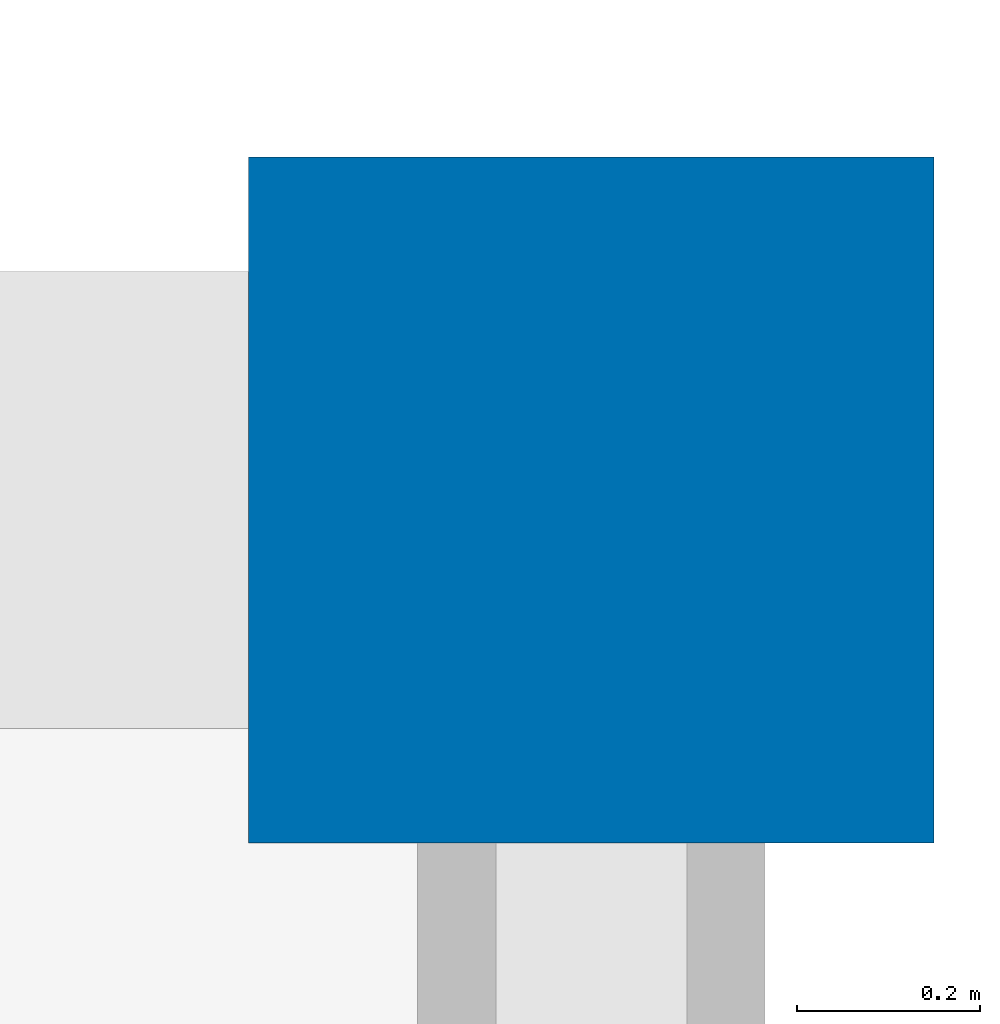
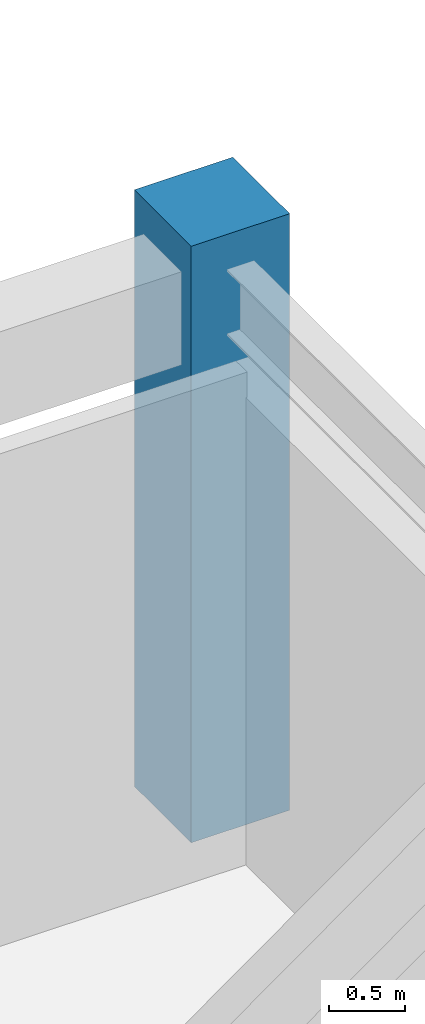
# One storey, part 16 of 122: 1 column.
"""IFC4 building model written with IfcOpenShell, lengths in metres."""

import ifcopenshell
import ifcopenshell.guid

model = None  # the IFC model being written
_history = None  # IfcOwnerHistory: only IFC2X3 demands one
_inside = {}  # id of a spatial element -> (the spatial element, [elements in it])
_under = {}  # id of a project, library or spatial element -> (it, [spatial elements below it])
_declared = {}  # id of a project -> (the project, [libraries it declares])
_typed = {}  # id of a type object -> (the type object, [elements of that type])
_made_of = {}  # id of a material, layer set ... -> (it, [elements and type objects made of it])


def new_model(schema):
    """Start an empty IFC model of exactly this schema.

    Asked for "IFC4X3", IfcOpenShell would pick the latest addendum, in which some entities
    have other attributes; the version numbers below select the first issue.
    IFC2X3 requires an IfcOwnerHistory on every rooted entity: one is made here for all.
    """
    global model, _history
    if schema == "IFC4X3":
        model = ifcopenshell.file(schema_version=(4, 3, 0, 0))
    else:
        model = ifcopenshell.file(schema=schema)
    _inside.clear()
    _under.clear()
    _declared.clear()
    _typed.clear()
    _made_of.clear()
    _history = None
    if model.schema == "IFC2X3":
        org = make("IfcOrganization", Name="unknown")
        user = make(
            "IfcPersonAndOrganization",
            ThePerson=make("IfcPerson", FamilyName="unknown"),
            TheOrganization=org,
        )
        app = make(
            "IfcApplication",
            ApplicationDeveloper=org,
            Version="unknown",
            ApplicationFullName="unknown",
            ApplicationIdentifier="unknown",
        )
        _history = make(
            "IfcOwnerHistory",
            OwningUser=user,
            OwningApplication=app,
            ChangeAction="ADDED",
            CreationDate=0,
        )
    return model


def make(cls, **values):
    """One entity of the class cls with the attributes given. An attribute that is None is left unset."""
    return model.create_entity(
        cls, **{name: value for name, value in values.items() if value is not None}
    )


def rooted(cls, **values):
    """An entity with a GlobalId (a new one), such as an element, a storey or a relation."""
    return make(cls, GlobalId=ifcopenshell.guid.new(), OwnerHistory=_history, **values)


def si_unit(unit_type, name, prefix=None):
    """IfcSIUnit, for example si_unit("LENGTHUNIT", "METRE", prefix="MILLI")."""
    return make("IfcSIUnit", UnitType=unit_type, Prefix=prefix, Name=name)


def assignment(units):
    """IfcUnitAssignment: the units of a project."""
    return None if units is None else make("IfcUnitAssignment", Units=units)


def point(xyz):
    """IfcCartesianPoint."""
    return None if xyz is None else make("IfcCartesianPoint", Coordinates=xyz)


def direction(xyz):
    """IfcDirection."""
    return None if xyz is None else make("IfcDirection", DirectionRatios=xyz)


def frame(location, z_axis=None, x_axis=None):
    """IfcAxis2Placement3D, a coordinate frame: its origin and axes. An axis left out is left unset."""
    return make(
        "IfcAxis2Placement3D",
        Location=point(location),
        Axis=direction(z_axis),
        RefDirection=direction(x_axis),
    )


def frame_2d(location, x_axis=None):
    """IfcAxis2Placement2D, a coordinate frame in the plane: its origin and x axis."""
    return make(
        "IfcAxis2Placement2D", Location=point(location), RefDirection=direction(x_axis)
    )


def origin():
    """The frame at (0, 0, 0) with its axes left unset."""
    return frame((0.0, 0.0, 0.0))


def origin_2d():
    """The frame at (0, 0) in the plane with its x axis left unset."""
    return frame_2d((0.0, 0.0))


def place(relative_to, where):
    """IfcLocalPlacement: puts the frame where relative to a parent placement (None: the world)."""
    return make(
        "IfcLocalPlacement", PlacementRelTo=relative_to, RelativePlacement=where
    )


def context(
    kind, dimensions, precision=None, world=None, true_north=None, identifier=None
):
    """IfcGeometricRepresentationContext, for example the 3D "Model" context."""
    return make(
        "IfcGeometricRepresentationContext",
        ContextIdentifier=identifier,
        ContextType=kind,
        CoordinateSpaceDimension=dimensions,
        Precision=precision,
        WorldCoordinateSystem=world,
        TrueNorth=true_north,
    )


def subcontext(parent, identifier, kind, view, scale=None):
    """IfcGeometricRepresentationSubContext, for example "Body" below "Model"."""
    return make(
        "IfcGeometricRepresentationSubContext",
        ContextIdentifier=identifier,
        ContextType=kind,
        ParentContext=parent,
        TargetScale=scale,
        TargetView=view,
    )


def project(units=None, contexts=None):
    """IfcProject with its units and contexts."""
    return rooted(
        "IfcProject",
        Name="project",
        RepresentationContexts=contexts,
        UnitsInContext=assignment(units),
    )


def spatial(cls, under=None, at=None, **own):
    """A site, building, storey or space (cls), placed at a placement, below another one or the project."""
    s = rooted(cls, ObjectPlacement=at, **own)
    if under is not None:
        _under.setdefault(under.id(), (under, []))[1].append(s)
    return s


def profile(cls, at=None, kind="AREA", **sizes):
    """A parametric profile (cls). Its sizes go by their IFC names, for example OverallWidth=200.0."""
    return make(cls, ProfileType=kind, Position=at, **sizes)


def rectangle(**sizes):
    """IfcRectangleProfileDef."""
    return profile("IfcRectangleProfileDef", **sizes)


def extrude(swept, where, along, depth):
    """IfcExtrudedAreaSolid: the profile swept, set in the frame where, extruded along a direction by depth."""
    return make(
        "IfcExtrudedAreaSolid",
        SweptArea=swept,
        Position=where,
        ExtrudedDirection=direction(along),
        Depth=depth,
    )


def shape(context_of_items, identifier, shape_type, items):
    """IfcShapeRepresentation: the items that make up one representation, for example the "Body"."""
    return make(
        "IfcShapeRepresentation",
        ContextOfItems=context_of_items,
        RepresentationIdentifier=identifier,
        RepresentationType=shape_type,
        Items=items,
    )


def material(Name=None, Category=None):
    """IfcMaterial."""
    return make("IfcMaterial", Name=Name, Category=Category)


def material_profile(
    of_material, cross_section, Name=None, Category=None, Priority=None
):
    """IfcMaterialProfile: a cross section and its material."""
    return make(
        "IfcMaterialProfile",
        Name=Name,
        Material=of_material,
        Profile=cross_section,
        Priority=Priority,
        Category=Category,
    )


def profile_set(profiles, Name=None, composite=None):
    """IfcMaterialProfileSet."""
    return make(
        "IfcMaterialProfileSet",
        Name=Name,
        MaterialProfiles=profiles,
        CompositeProfile=composite,
    )


def made_of(thing, what):
    """Note that an element or type object is made of a material, layer set ...; save() writes the relation."""
    if what is not None:
        _made_of.setdefault(what.id(), (what, []))[1].append(thing)
    return thing


def type_object(cls, material=None, **own):
    """A type object (cls), such as IfcWallType, which elements share."""
    return made_of(rooted(cls, **own), material)


def element(
    cls,
    number,
    at=None,
    inside=None,
    cuts=None,
    type_object=None,
    material=None,
    context=None,
    identifier="Body",
    shape_type=None,
    held_by="IfcProductDefinitionShape",
    body=None,
    shapes=None,
    **own,
):
    """One element of the class cls, such as IfcWall. Its Tag is "e" and its number.

    at: its placement. inside: the storey or other place that contains it. cuts: it is an
    opening in that element (IfcRelVoidsElement). A single representation is given by context,
    identifier, shape_type and body (its items); several are given by shapes. held_by: the class
    of the entity that holds the representations. save() writes the other relations.
    """
    e = rooted(cls, Tag="e%d" % number, ObjectPlacement=at, **own)
    if body is not None:
        shapes = [shape(context, identifier, shape_type, body)]
    if shapes is not None:
        e.Representation = make(held_by, Representations=shapes)
    if inside is not None:
        _inside.setdefault(inside.id(), (inside, []))[1].append(e)
    if cuts is not None:
        rooted(
            "IfcRelVoidsElement", RelatingBuildingElement=cuts, RelatedOpeningElement=e
        )
    if type_object is not None:
        _typed.setdefault(type_object.id(), (type_object, []))[1].append(e)
    return made_of(e, material)


def aggregate(whole, parts):
    """IfcRelAggregates: a whole, such as a stair, and the parts it consists of."""
    return rooted("IfcRelAggregates", RelatingObject=whole, RelatedObjects=parts)


def save(model, path):
    """Write the relations noted so far, then the file.

    IfcRelAggregates (storeys below a building ...), IfcRelContainedInSpatialStructure (elements
    in a storey), IfcRelDefinesByType, IfcRelAssociatesMaterial and IfcRelDeclares: one each for
    every whole, place, type object, material and project.
    """
    for whole, parts in _under.values():
        aggregate(whole, parts)
    for where, things in _inside.values():
        rooted(
            "IfcRelContainedInSpatialStructure",
            RelatedElements=things,
            RelatingStructure=where,
        )
    for kind, things in _typed.values():
        rooted("IfcRelDefinesByType", RelatedObjects=things, RelatingType=kind)
    for what, things in _made_of.values():
        rooted("IfcRelAssociatesMaterial", RelatedObjects=things, RelatingMaterial=what)
    for by, libraries in _declared.values():
        rooted("IfcRelDeclares", RelatingContext=by, RelatedDefinitions=libraries)
    model.write(path)


model = new_model("IFC4")

# Units and contexts
model_context = context("Model", 3, precision=1e-05, world=origin(), true_north=direction((0.0, 1.0)))
body_context = subcontext(model_context, "Body", "Model", "MODEL_VIEW")
ifc_project = project(units=[si_unit("LENGTHUNIT", "METRE"), si_unit("AREAUNIT", "SQUARE_METRE"), si_unit("VOLUMEUNIT", "CUBIC_METRE"), si_unit("PLANEANGLEUNIT", "RADIAN"), si_unit("MASSUNIT", "GRAM", prefix="KILO")], contexts=[model_context])

# Site, building, storey
site_placement = place(None, origin())
site = spatial("IfcSite", under=ifc_project, at=site_placement, CompositionType="ELEMENT")
building_placement = place(site_placement, origin())
building = spatial("IfcBuilding", under=site, at=building_placement, Name="Cuetzalor Civic Arena", CompositionType="ELEMENT")
storey_placement = place(building_placement, frame((0.0, 0.0, 16.199951171875)))
storey = spatial("IfcBuildingStorey", under=building, at=storey_placement, Name="L03", CompositionType="ELEMENT", Elevation=16.199951171875)

# Column
ifc_material = material(Name="Concrete C40/50", Category="concrete")
ifc_material_profile = material_profile(ifc_material, rectangle(XDim=0.75, YDim=0.75, at=origin_2d()), Name="RC 750x750")
ifc_profile_set = profile_set([ifc_material_profile], Name="Concrete C40/50")
column_type = type_object("IfcColumnType", Name="ConcreteColumn_750", PredefinedType="COLUMN", material=ifc_profile_set)
column_placement = place(storey_placement, frame((82.0, 34.699951171875, 0.0), z_axis=(0.0, 0.0, 1.0), x_axis=(1.0, 0.0, 0.0)))
element("IfcColumn", 1, at=column_placement, inside=storey, type_object=column_type, Name="Column V4E-C-04-11 L03", PredefinedType="COLUMN", context=body_context, shape_type="SweptSolid", body=[
    extrude(rectangle(XDim=0.75, YDim=0.75, at=origin_2d()), origin(), (0.0, 0.0, 1.0), 4.800048828125),
])

save(model, "model.ifc")
